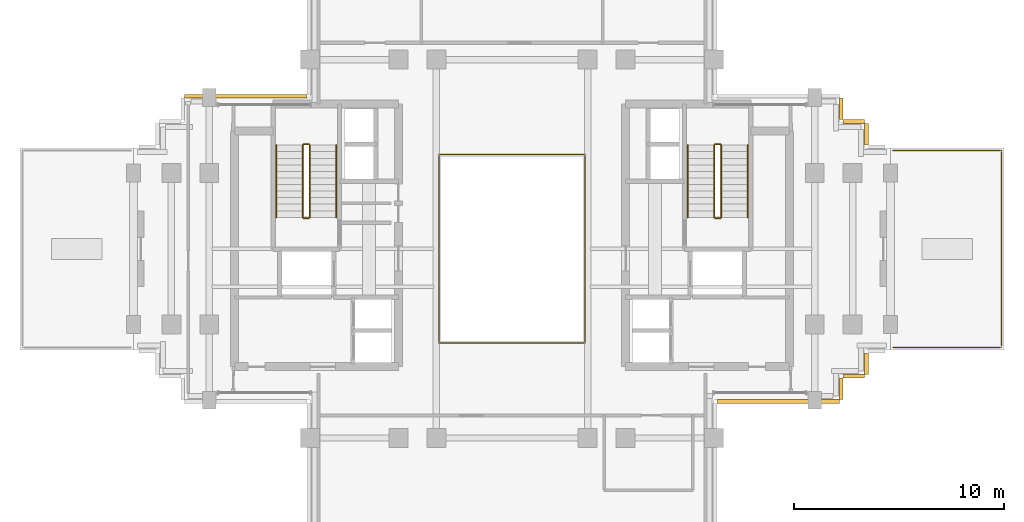
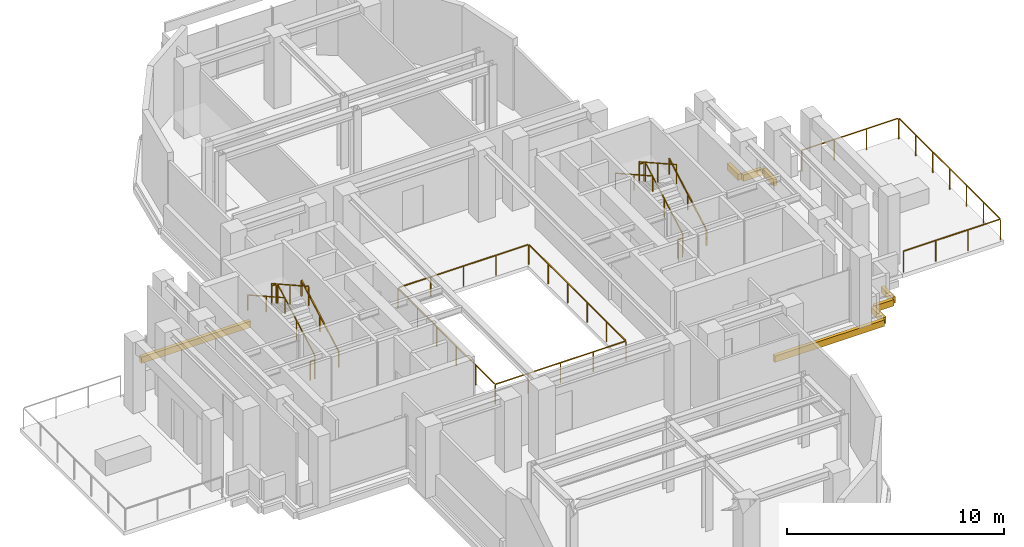
# One storey, part 10 of 12: 14 railings, 8 coverings.
"""IFC4 building model written with IfcOpenShell, lengths in metres."""

from ifc_helpers import new_model, si_unit, direction, frame, origin, origin_2d, place, context, subcontext, project, spatial, rectangle, extrude, source, transform, mapped, material, layer, layer_set, type_object, element, save


model = new_model("IFC4")

# Units and contexts
model_context = context("Model", 3, precision=1e-05, world=origin(), true_north=direction((0.0, 1.0)))
body_context = subcontext(model_context, "Body", "Model", "MODEL_VIEW")
ifc_project = project(units=[si_unit("LENGTHUNIT", "METRE"), si_unit("AREAUNIT", "SQUARE_METRE"), si_unit("VOLUMEUNIT", "CUBIC_METRE"), si_unit("PLANEANGLEUNIT", "RADIAN"), si_unit("MASSUNIT", "GRAM", prefix="KILO")], contexts=[model_context])

# Site, building, storey
site_placement = place(None, origin())
site = spatial("IfcSite", under=ifc_project, at=site_placement, CompositionType="ELEMENT")
building_placement = place(site_placement, origin())
building = spatial("IfcBuilding", under=site, at=building_placement, Name="Keilestroom Media Tower", CompositionType="ELEMENT")
storey_placement = place(building_placement, frame((0.0, 0.0, 156.199951171875)))
storey = spatial("IfcBuildingStorey", under=building, at=storey_placement, Name="L42", CompositionType="ELEMENT", Elevation=156.199951171875)

# Railings
ifc_material_1 = material(Name="Laminated Safety Glass & Bronze Steel", Category="steel")
railing_type_1 = type_object("IfcRailingType", Name="Atrium-Void-Guard-Balustrade-1150", PredefinedType="BALUSTRADE", material=ifc_material_1)
railing_1_placement = place(storey_placement, frame((-3.47998046875, -4.47998046875, 0.0)))
element("IfcRailing", 1, at=railing_1_placement, inside=storey, type_object=railing_type_1, Name="L42 Central Atrium Void Balustrade", PredefinedType="BALUSTRADE", context=body_context, shape_type="SweptSolid", body=[
    extrude(rectangle(XDim=0.048095703125, YDim=0.048095703125, at=origin_2d()), frame((0.0, 0.0, 1.1259765625), z_axis=(1.0, 0.0, 0.0), x_axis=(0.0, 1.0, 0.0)), (0.0, 0.0, 1.0), 6.911865234375),
    extrude(rectangle(XDim=0.048095703125, YDim=0.048095703125, at=origin_2d()), frame((6.9599609375, 0.048095703125, 1.1259765625), z_axis=(0.0, 1.0, 0.0), x_axis=(-1.0, 0.0, 0.0)), (0.0, 0.0, 1.0), 8.86376953125),
    extrude(rectangle(XDim=0.048095703125, YDim=0.048095703125, at=origin_2d()), frame((6.911865234375, 8.9599609375, 1.1259765625), z_axis=(-1.0, 0.0, 0.0), x_axis=(0.0, -1.0, 0.0)), (0.0, 0.0, 1.0), 6.86376953125),
    extrude(rectangle(XDim=0.048095703125, YDim=0.048095703125, at=origin_2d()), frame((0.0, 8.911865234375, 1.1259765625), z_axis=(0.0, -1.0, 0.0), x_axis=(1.0, 0.0, 0.0)), (0.0, 0.0, 1.0), 8.86376953125),
    extrude(rectangle(XDim=0.0419921875, YDim=0.0419921875, at=origin_2d()), origin(), (0.0, 0.0, 1.0), 1.09375),
    extrude(rectangle(XDim=0.0419921875, YDim=0.0419921875, at=origin_2d()), frame((1.739990234375, 0.0, 0.0)), (0.0, 0.0, 1.0), 1.09375),
    extrude(rectangle(XDim=0.0419921875, YDim=0.0419921875, at=origin_2d()), frame((3.47998046875, 0.0, 0.0)), (0.0, 0.0, 1.0), 1.09375),
    extrude(rectangle(XDim=0.0419921875, YDim=0.0419921875, at=origin_2d()), frame((5.219970703125, 0.0, 0.0)), (0.0, 0.0, 1.0), 1.09375),
    extrude(rectangle(XDim=0.0419921875, YDim=0.0419921875, at=origin_2d()), frame((6.9599609375, 0.0, 0.0)), (0.0, 0.0, 1.0), 1.09375),
    extrude(rectangle(XDim=0.0419921875, YDim=0.0419921875, at=origin_2d()), frame((6.9599609375, 1.7919921875, 0.0)), (0.0, 0.0, 1.0), 1.09375),
    extrude(rectangle(XDim=0.0419921875, YDim=0.0419921875, at=origin_2d()), frame((6.9599609375, 3.583984375, 0.0)), (0.0, 0.0, 1.0), 1.09375),
    extrude(rectangle(XDim=0.0419921875, YDim=0.0419921875, at=origin_2d()), frame((6.9599609375, 5.3759765625, 0.0)), (0.0, 0.0, 1.0), 1.09375),
    extrude(rectangle(XDim=0.0419921875, YDim=0.0419921875, at=origin_2d()), frame((6.9599609375, 7.16796875, 0.0)), (0.0, 0.0, 1.0), 1.09375),
    extrude(rectangle(XDim=0.0419921875, YDim=0.0419921875, at=origin_2d()), frame((6.9599609375, 8.9599609375, 0.0)), (0.0, 0.0, 1.0), 1.09375),
    extrude(rectangle(XDim=0.0419921875, YDim=0.0419921875, at=origin_2d()), frame((5.219970703125, 8.9599609375, 0.0)), (0.0, 0.0, 1.0), 1.09375),
    extrude(rectangle(XDim=0.0419921875, YDim=0.0419921875, at=origin_2d()), frame((3.47998046875, 8.9599609375, 0.0)), (0.0, 0.0, 1.0), 1.09375),
    extrude(rectangle(XDim=0.0419921875, YDim=0.0419921875, at=origin_2d()), frame((1.739990234375, 8.9599609375, 0.0)), (0.0, 0.0, 1.0), 1.09375),
    extrude(rectangle(XDim=0.0419921875, YDim=0.0419921875, at=origin_2d()), frame((0.0, 8.9599609375, 0.0)), (0.0, 0.0, 1.0), 1.09375),
    extrude(rectangle(XDim=0.0419921875, YDim=0.0419921875, at=origin_2d()), frame((0.0, 7.16796875, 0.0)), (0.0, 0.0, 1.0), 1.09375),
    extrude(rectangle(XDim=0.0419921875, YDim=0.0419921875, at=origin_2d()), frame((0.0, 5.3759765625, 0.0)), (0.0, 0.0, 1.0), 1.09375),
    extrude(rectangle(XDim=0.0419921875, YDim=0.0419921875, at=origin_2d()), frame((0.0, 3.583984375, 0.0)), (0.0, 0.0, 1.0), 1.09375),
    extrude(rectangle(XDim=0.0419921875, YDim=0.0419921875, at=origin_2d()), frame((0.0, 1.7919921875, 0.0)), (0.0, 0.0, 1.0), 1.09375),
])
ifc_material_2 = material(Name="Brushed Stainless Steel 1.4301", Category="steel")
railing_type_2 = type_object("IfcRailingType", Name="Stair-Pitch-Handrail-920", PredefinedType="HANDRAIL", material=ifc_material_2)
railing_2_placement = place(storey_placement, frame((-8.35009765625, 1.5, 0.175048828125)))
element("IfcRailing", 2, at=railing_2_placement, inside=storey, type_object=railing_type_2, Name="L42 ST-1 stair handrail 1", PredefinedType="HANDRAIL", context=body_context, shape_type="SweptSolid", body=[
    extrude(rectangle(XDim=0.048095703125, YDim=0.048095703125, at=origin_2d()), frame((0.0, 0.0, 0.8759765625), z_axis=(0.0, 0.872159829118, 0.489221046638), x_axis=(-1.0, 0.0, 0.0)), (0.0, 0.0, 1.0), 3.934814453125),
    extrude(rectangle(XDim=0.0419921875, YDim=0.0419921875, at=origin_2d()), origin(), (0.0, 0.0, 1.0), 0.84375),
    extrude(rectangle(XDim=0.0419921875, YDim=0.0419921875, at=origin_2d()), frame((0.0, 1.7158203125, 0.96240234375)), (0.0, 0.0, 1.0), 0.84375),
    extrude(rectangle(XDim=0.0419921875, YDim=0.0419921875, at=origin_2d()), frame((0.0, 3.431884765625, 1.925048828125)), (0.0, 0.0, 1.0), 0.84375),
])
railing_3_placement = place(storey_placement, frame((-11.2099609375, 4.931884765625, 2.275146484375)))
element("IfcRailing", 3, at=railing_3_placement, inside=storey, type_object=railing_type_2, Name="L42 ST-1 stair handrail 2", PredefinedType="HANDRAIL", context=body_context, shape_type="SweptSolid", body=[
    extrude(rectangle(XDim=0.048095703125, YDim=0.048095703125, at=origin_2d()), frame((0.0, 0.0, 0.8759765625), z_axis=(0.0, -0.872186301735, 0.489173849532), x_axis=(1.0, 0.0, 0.0)), (0.0, 0.0, 1.0), 3.934814453125),
    extrude(rectangle(XDim=0.0419921875, YDim=0.0419921875, at=origin_2d()), origin(), (0.0, 0.0, 1.0), 0.84375),
    extrude(rectangle(XDim=0.0419921875, YDim=0.0419921875, at=origin_2d()), frame((0.0, -1.7158203125, 0.96240234375)), (0.0, 0.0, 1.0), 0.84375),
    extrude(rectangle(XDim=0.0419921875, YDim=0.0419921875, at=origin_2d()), frame((0.0, -3.431884765625, 1.9248046875)), (0.0, 0.0, 1.0), 0.84375),
])
railing_4_placement = place(storey_placement, frame((11.2099609375, 1.5, 0.175048828125)))
element("IfcRailing", 4, at=railing_4_placement, inside=storey, type_object=railing_type_2, Name="L42 ST-2 stair handrail 1", PredefinedType="HANDRAIL", context=body_context, shape_type="SweptSolid", body=[
    extrude(rectangle(XDim=0.048095703125, YDim=0.048095703125, at=origin_2d()), frame((0.0, 0.0, 0.8759765625), z_axis=(0.0, 0.872159829118, 0.489221046638), x_axis=(-1.0, 0.0, 0.0)), (0.0, 0.0, 1.0), 3.934814453125),
    extrude(rectangle(XDim=0.0419921875, YDim=0.0419921875, at=origin_2d()), origin(), (0.0, 0.0, 1.0), 0.84375),
    extrude(rectangle(XDim=0.0419921875, YDim=0.0419921875, at=origin_2d()), frame((0.0, 1.7158203125, 0.96240234375)), (0.0, 0.0, 1.0), 0.84375),
    extrude(rectangle(XDim=0.0419921875, YDim=0.0419921875, at=origin_2d()), frame((0.0, 3.431884765625, 1.925048828125)), (0.0, 0.0, 1.0), 0.84375),
])
railing_5_placement = place(storey_placement, frame((8.35009765625, 4.931884765625, 2.275146484375)))
element("IfcRailing", 5, at=railing_5_placement, inside=storey, type_object=railing_type_2, Name="L42 ST-2 stair handrail 2", PredefinedType="HANDRAIL", context=body_context, shape_type="SweptSolid", body=[
    extrude(rectangle(XDim=0.048095703125, YDim=0.048095703125, at=origin_2d()), frame((0.0, 0.0, 0.8759765625), z_axis=(0.0, -0.872186301735, 0.489173849532), x_axis=(1.0, 0.0, 0.0)), (0.0, 0.0, 1.0), 3.934814453125),
    extrude(rectangle(XDim=0.0419921875, YDim=0.0419921875, at=origin_2d()), origin(), (0.0, 0.0, 1.0), 0.84375),
    extrude(rectangle(XDim=0.0419921875, YDim=0.0419921875, at=origin_2d()), frame((0.0, -1.7158203125, 0.96240234375)), (0.0, 0.0, 1.0), 0.84375),
    extrude(rectangle(XDim=0.0419921875, YDim=0.0419921875, at=origin_2d()), frame((0.0, -3.431884765625, 1.9248046875)), (0.0, 0.0, 1.0), 0.84375),
])
ifc_material_3 = material(Name="Painted Steel Balustrade", Category="steel")
railing_type_3 = type_object("IfcRailingType", Name="Stair-Well-And-Landing-Guard-1100", PredefinedType="GUARDRAIL", material=ifc_material_3)
railing_6_placement = place(storey_placement, frame((-9.610107421875, 1.5, 0.175048828125)))
element("IfcRailing", 6, at=railing_6_placement, inside=storey, type_object=railing_type_3, Name="L42 ST-1 stair guard 1", PredefinedType="GUARDRAIL", context=body_context, shape_type="SweptSolid", body=[
    extrude(rectangle(XDim=0.048095703125, YDim=0.048095703125, at=origin_2d()), frame((0.0, 0.0, 1.076171875), z_axis=(0.0, 0.872159829118, 0.489221046638), x_axis=(-1.0, 0.0, 0.0)), (0.0, 0.0, 1.0), 3.934814453125),
    extrude(rectangle(XDim=0.0419921875, YDim=0.0419921875, at=origin_2d()), origin(), (0.0, 0.0, 1.0), 1.0439453125),
    extrude(rectangle(XDim=0.0419921875, YDim=0.0419921875, at=origin_2d()), frame((0.0, 1.7158203125, 0.96240234375)), (0.0, 0.0, 1.0), 1.0439453125),
    extrude(rectangle(XDim=0.0419921875, YDim=0.0419921875, at=origin_2d()), frame((0.0, 3.431884765625, 1.925048828125)), (0.0, 0.0, 1.0), 1.0439453125),
])
railing_7_placement = place(storey_placement, frame((-9.659912109375, 4.98193359375, 2.10009765625)))
element("IfcRailing", 7, at=railing_7_placement, inside=storey, type_object=railing_type_3, Name="L42 ST-1 stair guard 2", PredefinedType="GUARDRAIL", context=body_context, shape_type="SweptSolid", body=[
    extrude(rectangle(XDim=0.048095703125, YDim=0.048095703125, at=origin_2d()), frame((0.0, 0.0, 1.076171875), z_axis=(-1.0, 0.0, 0.0), x_axis=(0.0, -1.0, 0.0)), (0.0, 0.0, 1.0), 0.239990234375),
    extrude(rectangle(XDim=0.0419921875, YDim=0.0419921875, at=origin_2d()), origin(), (0.0, 0.0, 1.0), 1.0439453125),
    extrude(rectangle(XDim=0.0419921875, YDim=0.0419921875, at=origin_2d()), frame((-0.239990234375, 0.0, 0.0)), (0.0, 0.0, 1.0), 1.0439453125),
])
railing_8_placement = place(storey_placement, frame((-9.949951171875, 4.931884765625, 2.275146484375)))
element("IfcRailing", 8, at=railing_8_placement, inside=storey, type_object=railing_type_3, Name="L42 ST-1 stair guard 3", PredefinedType="GUARDRAIL", context=body_context, shape_type="SweptSolid", body=[
    extrude(rectangle(XDim=0.048095703125, YDim=0.048095703125, at=origin_2d()), frame((0.0, 0.0, 1.076171875), z_axis=(0.0, -0.872186301735, 0.489173849532), x_axis=(1.0, 0.0, 0.0)), (0.0, 0.0, 1.0), 3.934814453125),
    extrude(rectangle(XDim=0.0419921875, YDim=0.0419921875, at=origin_2d()), origin(), (0.0, 0.0, 1.0), 1.0439453125),
    extrude(rectangle(XDim=0.0419921875, YDim=0.0419921875, at=origin_2d()), frame((0.0, -1.7158203125, 0.96240234375)), (0.0, 0.0, 1.0), 1.0439453125),
    extrude(rectangle(XDim=0.0419921875, YDim=0.0419921875, at=origin_2d()), frame((0.0, -3.431884765625, 1.9248046875)), (0.0, 0.0, 1.0), 1.0439453125),
])
railing_9_placement = place(storey_placement, frame((-9.659912109375, 1.449951171875, 0.0)))
element("IfcRailing", 9, at=railing_9_placement, inside=storey, type_object=railing_type_3, Name="L42 ST-1 stair guard 4", PredefinedType="GUARDRAIL", context=body_context, shape_type="SweptSolid", body=[
    extrude(rectangle(XDim=0.048095703125, YDim=0.048095703125, at=origin_2d()), frame((0.0, 0.0, 1.076171875), z_axis=(-1.0, 0.0, 0.0), x_axis=(0.0, -1.0, 0.0)), (0.0, 0.0, 1.0), 0.239990234375),
    extrude(rectangle(XDim=0.0419921875, YDim=0.0419921875, at=origin_2d()), origin(), (0.0, 0.0, 1.0), 1.0439453125),
    extrude(rectangle(XDim=0.0419921875, YDim=0.0419921875, at=origin_2d()), frame((-0.239990234375, 0.0, 0.0)), (0.0, 0.0, 1.0), 1.0439453125),
])
railing_10_placement = place(storey_placement, frame((9.949951171875, 1.5, 0.175048828125)))
element("IfcRailing", 10, at=railing_10_placement, inside=storey, type_object=railing_type_3, Name="L42 ST-2 stair guard 1", PredefinedType="GUARDRAIL", context=body_context, shape_type="SweptSolid", body=[
    extrude(rectangle(XDim=0.048095703125, YDim=0.048095703125, at=origin_2d()), frame((0.0, 0.0, 1.076171875), z_axis=(0.0, 0.872159829118, 0.489221046638), x_axis=(-1.0, 0.0, 0.0)), (0.0, 0.0, 1.0), 3.934814453125),
    extrude(rectangle(XDim=0.0419921875, YDim=0.0419921875, at=origin_2d()), origin(), (0.0, 0.0, 1.0), 1.0439453125),
    extrude(rectangle(XDim=0.0419921875, YDim=0.0419921875, at=origin_2d()), frame((0.0, 1.7158203125, 0.96240234375)), (0.0, 0.0, 1.0), 1.0439453125),
    extrude(rectangle(XDim=0.0419921875, YDim=0.0419921875, at=origin_2d()), frame((0.0, 3.431884765625, 1.925048828125)), (0.0, 0.0, 1.0), 1.0439453125),
])
railing_11_placement = place(storey_placement, frame((9.89990234375, 4.98193359375, 2.10009765625)))
element("IfcRailing", 11, at=railing_11_placement, inside=storey, type_object=railing_type_3, Name="L42 ST-2 stair guard 2", PredefinedType="GUARDRAIL", context=body_context, shape_type="SweptSolid", body=[
    extrude(rectangle(XDim=0.048095703125, YDim=0.048095703125, at=origin_2d()), frame((0.0, 0.0, 1.076171875), z_axis=(-1.0, 0.0, 0.0), x_axis=(0.0, -1.0, 0.0)), (0.0, 0.0, 1.0), 0.239990234375),
    extrude(rectangle(XDim=0.0419921875, YDim=0.0419921875, at=origin_2d()), origin(), (0.0, 0.0, 1.0), 1.0439453125),
    extrude(rectangle(XDim=0.0419921875, YDim=0.0419921875, at=origin_2d()), frame((-0.239990234375, 0.0, 0.0)), (0.0, 0.0, 1.0), 1.0439453125),
])
railing_12_placement = place(storey_placement, frame((9.610107421875, 4.931884765625, 2.275146484375)))
element("IfcRailing", 12, at=railing_12_placement, inside=storey, type_object=railing_type_3, Name="L42 ST-2 stair guard 3", PredefinedType="GUARDRAIL", context=body_context, shape_type="SweptSolid", body=[
    extrude(rectangle(XDim=0.048095703125, YDim=0.048095703125, at=origin_2d()), frame((0.0, 0.0, 1.076171875), z_axis=(0.0, -0.872186301735, 0.489173849532), x_axis=(1.0, 0.0, 0.0)), (0.0, 0.0, 1.0), 3.934814453125),
    extrude(rectangle(XDim=0.0419921875, YDim=0.0419921875, at=origin_2d()), origin(), (0.0, 0.0, 1.0), 1.0439453125),
    extrude(rectangle(XDim=0.0419921875, YDim=0.0419921875, at=origin_2d()), frame((0.0, -1.7158203125, 0.96240234375)), (0.0, 0.0, 1.0), 1.0439453125),
    extrude(rectangle(XDim=0.0419921875, YDim=0.0419921875, at=origin_2d()), frame((0.0, -3.431884765625, 1.9248046875)), (0.0, 0.0, 1.0), 1.0439453125),
])
railing_13_placement = place(storey_placement, frame((9.89990234375, 1.449951171875, 0.0)))
element("IfcRailing", 13, at=railing_13_placement, inside=storey, type_object=railing_type_3, Name="L42 ST-2 stair guard 4", PredefinedType="GUARDRAIL", context=body_context, shape_type="SweptSolid", body=[
    extrude(rectangle(XDim=0.048095703125, YDim=0.048095703125, at=origin_2d()), frame((0.0, 0.0, 1.076171875), z_axis=(-1.0, 0.0, 0.0), x_axis=(0.0, -1.0, 0.0)), (0.0, 0.0, 1.0), 0.239990234375),
    extrude(rectangle(XDim=0.0419921875, YDim=0.0419921875, at=origin_2d()), origin(), (0.0, 0.0, 1.0), 1.0439453125),
    extrude(rectangle(XDim=0.0419921875, YDim=0.0419921875, at=origin_2d()), frame((-0.239990234375, 0.0, 0.0)), (0.0, 0.0, 1.0), 1.0439453125),
])
ifc_material_4 = material(Name="Laminated Safety Glass & Bronze Aluminium", Category="aluminium")
railing_type_4 = type_object("IfcRailingType", Name="Terrace-And-Atrium-Guard-Balustrade-GD-SKY", PredefinedType="BALUSTRADE", material=ifc_material_4)
railing_14_placement = place(storey_placement, frame((18.1201171875, -4.679931640625, 0.0)))
element("IfcRailing", 14, at=railing_14_placement, inside=storey, type_object=railing_type_4, Name="L42 Terrace Perimeter Guard SG42-E", PredefinedType="BALUSTRADE", context=body_context, shape_type="SweptSolid", body=[
    extrude(rectangle(XDim=0.048095703125, YDim=0.048095703125, at=origin_2d()), frame((0.0, 0.0, 1.17578125), z_axis=(1.0, 0.0, 0.0), x_axis=(0.0, 1.0, 0.0)), (0.0, 0.0, 1.0), 5.11181640625),
    extrude(rectangle(XDim=0.048095703125, YDim=0.048095703125, at=origin_2d()), frame((5.159912109375, 0.048095703125, 1.17578125), z_axis=(0.0, 1.0, 0.0), x_axis=(-1.0, 0.0, 0.0)), (0.0, 0.0, 1.0), 9.263671875),
    extrude(rectangle(XDim=0.048095703125, YDim=0.048095703125, at=origin_2d()), frame((5.11181640625, 9.35986328125, 1.17578125), z_axis=(-1.0, 0.0, 0.0), x_axis=(0.0, -1.0, 0.0)), (0.0, 0.0, 1.0), 5.11181640625),
    extrude(rectangle(XDim=0.0419921875, YDim=0.0419921875, at=origin_2d()), origin(), (0.0, 0.0, 1.0), 1.143798828125),
    extrude(rectangle(XDim=0.0419921875, YDim=0.0419921875, at=origin_2d()), frame((1.719970703125, 0.0, 0.0)), (0.0, 0.0, 1.0), 1.143798828125),
    extrude(rectangle(XDim=0.0419921875, YDim=0.0419921875, at=origin_2d()), frame((3.43994140625, 0.0, 0.0)), (0.0, 0.0, 1.0), 1.143798828125),
    extrude(rectangle(XDim=0.0419921875, YDim=0.0419921875, at=origin_2d()), frame((5.159912109375, 0.0, 0.0)), (0.0, 0.0, 1.0), 1.143798828125),
    extrude(rectangle(XDim=0.0419921875, YDim=0.0419921875, at=origin_2d()), frame((5.159912109375, 1.56005859375, 0.0)), (0.0, 0.0, 1.0), 1.143798828125),
    extrude(rectangle(XDim=0.0419921875, YDim=0.0419921875, at=origin_2d()), frame((5.159912109375, 3.119873046875, 0.0)), (0.0, 0.0, 1.0), 1.143798828125),
    extrude(rectangle(XDim=0.0419921875, YDim=0.0419921875, at=origin_2d()), frame((5.159912109375, 4.679931640625, 0.0)), (0.0, 0.0, 1.0), 1.143798828125),
    extrude(rectangle(XDim=0.0419921875, YDim=0.0419921875, at=origin_2d()), frame((5.159912109375, 6.239990234375, 0.0)), (0.0, 0.0, 1.0), 1.143798828125),
    extrude(rectangle(XDim=0.0419921875, YDim=0.0419921875, at=origin_2d()), frame((5.159912109375, 7.7998046875, 0.0)), (0.0, 0.0, 1.0), 1.143798828125),
    extrude(rectangle(XDim=0.0419921875, YDim=0.0419921875, at=origin_2d()), frame((5.159912109375, 9.35986328125, 0.0)), (0.0, 0.0, 1.0), 1.143798828125),
    extrude(rectangle(XDim=0.0419921875, YDim=0.0419921875, at=origin_2d()), frame((3.43994140625, 9.35986328125, 0.0)), (0.0, 0.0, 1.0), 1.143798828125),
    extrude(rectangle(XDim=0.0419921875, YDim=0.0419921875, at=origin_2d()), frame((1.719970703125, 9.35986328125, 0.0)), (0.0, 0.0, 1.0), 1.143798828125),
    extrude(rectangle(XDim=0.0419921875, YDim=0.0419921875, at=origin_2d()), frame((0.0, 9.35986328125, 0.0)), (0.0, 0.0, 1.0), 1.143798828125),
])

# Coverings
ifc_material_5 = material(Name="Precast concrete C40/50", Category="concrete")
ifc_layer = layer(ifc_material_5, 0.1201171875)
ifc_layer_set = layer_set([ifc_layer], Name="Precast concrete C40/50")
covering_type = type_object("IfcCoveringType", Name="Exterior-Precast-Spandrel-Cladding-Panel-120", PredefinedType="CLADDING", material=ifc_layer_set)
shared_shape_1 = source(origin(), body_context, "Body", "SweptSolid", [
    extrude(rectangle(XDim=1.02001953125, YDim=0.179931640625, at=origin_2d()), origin(), (0.0, 0.0, 1.0), 0.360107421875),
])
for number, where, z_axis, x_axis, name in (
    (15, (16.860107421875, -5.4599609375, -0.5400390625), (0.0, 0.0, 1.0), (0.0, -1.0, 0.0), "L42 Precast Slab-Edge Fascia Cornice 02"),
    (16, (16.260009765625, -6.06005859375, -0.5400390625), (0.0, 0.0, 1.0), (-1.0, 0.0, 0.0), "L42 Precast Slab-Edge Fascia Cornice 03"),
    (17, (15.659912109375, -6.659912109375, -0.5400390625), (0.0, 0.0, 1.0), (0.0, -1.0, 0.0), "L42 Precast Slab-Edge Fascia Cornice 04"),
    (18, (15.659912109375, 6.659912109375, -0.5400390625), (0.0, 0.0, 1.0), (0.0, -1.0, 0.0), "L42 Precast Slab-Edge Fascia Cornice 37"),
    (19, (16.260009765625, 6.06005859375, -0.5400390625), (0.0, 0.0, 1.0), (1.0, 0.0, 0.0), "L42 Precast Slab-Edge Fascia Cornice 38"),
    (20, (16.860107421875, 5.4599609375, -0.5400390625), (0.0, 0.0, 1.0), (0.0, -1.0, 0.0), "L42 Precast Slab-Edge Fascia Cornice 39"),
):
    element("IfcCovering", number, at=place(storey_placement, frame(where, z_axis=z_axis, x_axis=x_axis)), inside=storey, type_object=covering_type, Name=name, PredefinedType="CLADDING", context=body_context, shape_type="MappedRepresentation", body=[
        mapped(shared_shape_1, transform((0.0, 0.0, 0.0), x_axis=(1.0, 0.0, 0.0), y_axis=(0.0, 1.0, 0.0), z_axis=(0.0, 0.0, 1.0), scale=1.0)),
    ])
shared_shape_2 = source(origin(), body_context, "Body", "SweptSolid", [
    extrude(rectangle(XDim=5.820068359375, YDim=0.179931640625, at=origin_2d()), origin(), (0.0, 0.0, 1.0), 0.360107421875),
])
for number, where, z_axis, x_axis, name in (
    (21, (12.659912109375, -7.260009765625, -0.5400390625), (0.0, 0.0, 1.0), (-1.0, 0.0, 0.0), "L42 Precast Slab-Edge Fascia Cornice 05"),
    (22, (-12.659912109375, 7.260009765625, -0.5400390625), (0.0, 0.0, 1.0), (1.0, 0.0, 0.0), "L42 Precast Slab-Edge Fascia Cornice 25"),
):
    element("IfcCovering", number, at=place(storey_placement, frame(where, z_axis=z_axis, x_axis=x_axis)), inside=storey, type_object=covering_type, Name=name, PredefinedType="CLADDING", context=body_context, shape_type="MappedRepresentation", body=[
        mapped(shared_shape_2, transform((0.0, 0.0, 0.0), x_axis=(1.0, 0.0, 0.0), y_axis=(0.0, 1.0, 0.0), z_axis=(0.0, 0.0, 1.0), scale=1.0)),
    ])

save(model, "model.ifc")
